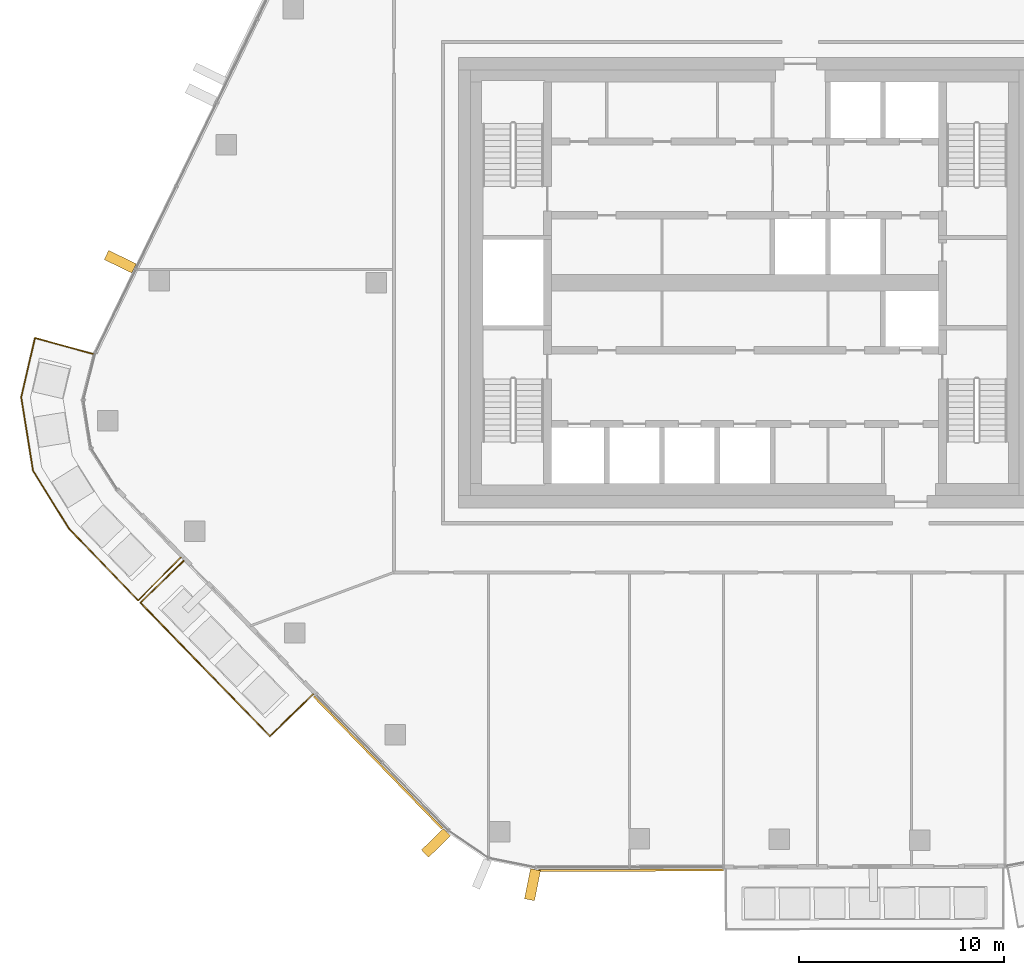
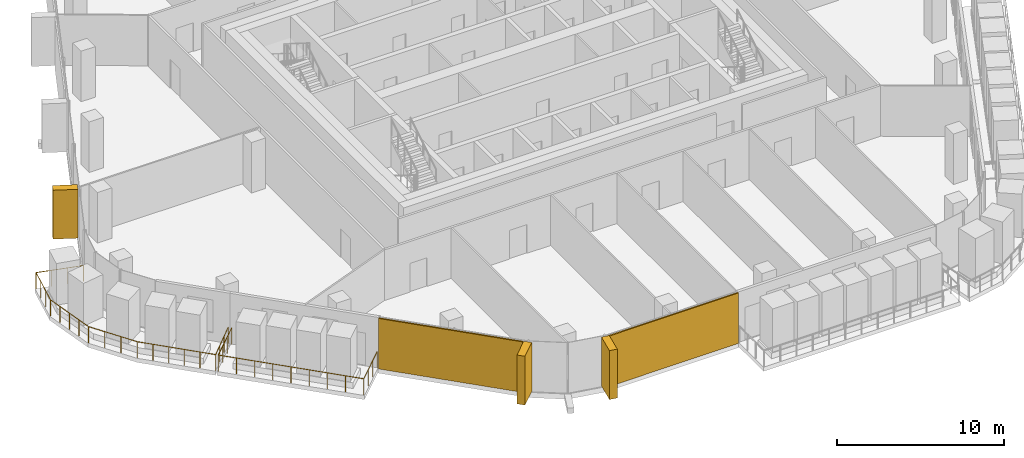
# One storey, part 18 of 24: 5 coverings, 2 railings, 4 elements without a shape of their own.
"""IFC4 building model written with IfcOpenShell, lengths in metres."""

from ifc_helpers import new_model, si_unit, direction, frame, origin, origin_2d, place, context, subcontext, project, spatial, rectangle, circle, extrude, material, layer, layer_set, material_profile, profile_set, type_object, element, aggregate, save


model = new_model("IFC4")

# Units and contexts
model_context = context("Model", 3, precision=1e-05, world=origin(), true_north=direction((0.0, 1.0)))
body_context = subcontext(model_context, "Body", "Model", "MODEL_VIEW")
ifc_project = project(units=[si_unit("LENGTHUNIT", "METRE"), si_unit("AREAUNIT", "SQUARE_METRE"), si_unit("VOLUMEUNIT", "CUBIC_METRE"), si_unit("PLANEANGLEUNIT", "RADIAN"), si_unit("MASSUNIT", "GRAM", prefix="KILO")], contexts=[model_context])

# Site, building, storey
site_placement = place(None, origin())
site = spatial("IfcSite", under=ifc_project, at=site_placement, CompositionType="ELEMENT")
building_placement = place(site_placement, origin())
building = spatial("IfcBuilding", under=site, at=building_placement, Name="Dongbaek Canopy Tower", CompositionType="ELEMENT")
storey_placement = place(building_placement, frame((0.0, 0.0, 348.800048828125)))
storey = spatial("IfcBuildingStorey", under=building, at=storey_placement, Name="L75", CompositionType="ELEMENT", Elevation=348.800048828125)

# Railings
ifc_material_1 = material(Name="Stainless steel", Category="steel")
railing_type = type_object("IfcRailingType", Name="Balcony balustrade 1200", PredefinedType="BALUSTRADE", material=ifc_material_1)
railing_1_placement = place(storey_placement, frame((-27.416748046875, -13.58642578125, 0.0)))
element("IfcRailing", 1, at=railing_1_placement, inside=storey, type_object=railing_type, Name="Balcony guard L75 3", PredefinedType="BALUSTRADE", context=body_context, shape_type="SweptSolid", body=[
    extrude(circle(Radius=0.02392578125, at=origin_2d()), frame((0.0, 0.0, 1.17578125), z_axis=(-0.717696638851, -0.696355896494, 0.0), x_axis=(0.696355896494, -0.717696638851, 0.0)), (0.0, 0.0, 1.0), 2.940185546875),
    extrude(circle(Radius=0.02392578125, at=origin_2d()), frame((-2.110107421875, -2.04736328125, 1.17578125), z_axis=(0.696375572083, -0.717677547793, 0.0), x_axis=(0.717677547793, 0.696375572083, 0.0)), (0.0, 0.0, 1.0), 9.0771484375),
    extrude(circle(Radius=0.02392578125, at=origin_2d()), frame((4.2109375, -8.561767578125, 1.17578125), z_axis=(0.717656369211, 0.696397397849, 0.0), x_axis=(-0.696397397849, 0.717656369211, 0.0)), (0.0, 0.0, 1.0), 2.93994140625),
    extrude(circle(Radius=0.02099609375, at=origin_2d()), origin(), (0.0, 0.0, 1.0), 1.15185546875),
    extrude(circle(Radius=0.02099609375, at=origin_2d()), frame((-0.703369140625, -0.682373046875, 0.0)), (0.0, 0.0, 1.0), 1.15185546875),
    extrude(circle(Radius=0.02099609375, at=origin_2d()), frame((-1.40673828125, -1.364990234375, 0.0)), (0.0, 0.0, 1.0), 1.15185546875),
    extrude(circle(Radius=0.02099609375, at=origin_2d()), frame((-2.110107421875, -2.04736328125, 0.0)), (0.0, 0.0, 1.0), 1.15185546875),
    extrude(circle(Radius=0.02099609375, at=origin_2d()), frame((-1.320068359375, -2.861572265625, 0.0)), (0.0, 0.0, 1.0), 1.15185546875),
    extrude(circle(Radius=0.02099609375, at=origin_2d()), frame((-0.52978515625, -3.676025390625, 0.0)), (0.0, 0.0, 1.0), 1.15185546875),
    extrude(circle(Radius=0.02099609375, at=origin_2d()), frame((0.26025390625, -4.490234375, 0.0)), (0.0, 0.0, 1.0), 1.15185546875),
    extrude(circle(Radius=0.02099609375, at=origin_2d()), frame((1.05029296875, -5.3046875, 0.0)), (0.0, 0.0, 1.0), 1.15185546875),
    extrude(circle(Radius=0.02099609375, at=origin_2d()), frame((1.840576171875, -6.118896484375, 0.0)), (0.0, 0.0, 1.0), 1.15185546875),
    extrude(circle(Radius=0.02099609375, at=origin_2d()), frame((2.630615234375, -6.93310546875, 0.0)), (0.0, 0.0, 1.0), 1.15185546875),
    extrude(circle(Radius=0.02099609375, at=origin_2d()), frame((3.4208984375, -7.74755859375, 0.0)), (0.0, 0.0, 1.0), 1.15185546875),
    extrude(circle(Radius=0.02099609375, at=origin_2d()), frame((4.2109375, -8.561767578125, 0.0)), (0.0, 0.0, 1.0), 1.15185546875),
    extrude(circle(Radius=0.02099609375, at=origin_2d()), frame((4.914306640625, -7.87939453125, 0.0)), (0.0, 0.0, 1.0), 1.15185546875),
    extrude(circle(Radius=0.02099609375, at=origin_2d()), frame((5.617431640625, -7.19677734375, 0.0)), (0.0, 0.0, 1.0), 1.15185546875),
    extrude(circle(Radius=0.02099609375, at=origin_2d()), frame((6.32080078125, -6.514404296875, 0.0)), (0.0, 0.0, 1.0), 1.15185546875),
])
railing_2_placement = place(storey_placement, frame((-31.848876953125, -3.47900390625, 0.0)))
element("IfcRailing", 2, at=railing_2_placement, inside=storey, type_object=railing_type, Name="Balcony guard L75 7", PredefinedType="BALUSTRADE", context=body_context, shape_type="SweptSolid", body=[
    extrude(circle(Radius=0.02392578125, at=origin_2d()), frame((0.0, 0.0, 1.17578125), z_axis=(-0.964105557481, 0.265519253602, 0.0), x_axis=(-0.265519253602, -0.964105557481, 0.0)), (0.0, 0.0, 1.0), 2.9404296875),
    extrude(circle(Radius=0.02392578125, at=origin_2d()), frame((-2.8349609375, 0.78076171875, 1.17578125), z_axis=(-0.225884835617, -0.974154012997, 0.0), x_axis=(0.974154012997, -0.225884835617, 0.0)), (0.0, 0.0, 1.0), 2.973388671875),
    extrude(circle(Radius=0.02392578125, at=origin_2d()), frame((-3.506591796875, -2.11572265625, 1.17578125), z_axis=(0.158464274959, -0.987364711523, 0.0), x_axis=(0.987364711523, 0.158464274959, 0.0)), (0.0, 0.0, 1.0), 3.617431640625),
    extrude(circle(Radius=0.02392578125, at=origin_2d()), frame((-2.933349609375, -5.6875, 1.17578125), z_axis=(0.525154889497, -0.851006663921, 0.0), x_axis=(0.851006663921, 0.525154889497, 0.0)), (0.0, 0.0, 1.0), 3.322021484375),
    extrude(circle(Radius=0.02392578125, at=origin_2d()), frame((-1.188720703125, -8.5146484375, 1.17578125), z_axis=(0.694128190065, -0.719851412277, 0.0), x_axis=(0.719851412277, 0.694128190065, 0.0)), (0.0, 0.0, 1.0), 4.8974609375),
    extrude(circle(Radius=0.02392578125, at=origin_2d()), frame((2.210693359375, -12.0400390625, 1.17578125), z_axis=(0.70331897613, 0.710874403686, 0.0), x_axis=(-0.710874403686, 0.70331897613, 0.0)), (0.0, 0.0, 1.0), 2.9404296875),
    extrude(circle(Radius=0.02099609375, at=origin_2d()), origin(), (0.0, 0.0, 1.0), 1.15185546875),
    extrude(circle(Radius=0.02099609375, at=origin_2d()), frame((-0.945068359375, 0.26025390625, 0.0)), (0.0, 0.0, 1.0), 1.15185546875),
    extrude(circle(Radius=0.02099609375, at=origin_2d()), frame((-1.889892578125, 0.5205078125, 0.0)), (0.0, 0.0, 1.0), 1.15185546875),
    extrude(circle(Radius=0.02099609375, at=origin_2d()), frame((-2.8349609375, 0.78076171875, 0.0)), (0.0, 0.0, 1.0), 1.15185546875),
    extrude(circle(Radius=0.02099609375, at=origin_2d()), frame((-3.058837890625, -0.184814453125, 0.0)), (0.0, 0.0, 1.0), 1.15185546875),
    extrude(circle(Radius=0.02099609375, at=origin_2d()), frame((-3.28271484375, -1.150146484375, 0.0)), (0.0, 0.0, 1.0), 1.15185546875),
    extrude(circle(Radius=0.02099609375, at=origin_2d()), frame((-3.506591796875, -2.11572265625, 0.0)), (0.0, 0.0, 1.0), 1.15185546875),
    extrude(circle(Radius=0.02099609375, at=origin_2d()), frame((-3.36328125, -3.0087890625, 0.0)), (0.0, 0.0, 1.0), 1.15185546875),
    extrude(circle(Radius=0.02099609375, at=origin_2d()), frame((-3.219970703125, -3.901611328125, 0.0)), (0.0, 0.0, 1.0), 1.15185546875),
    extrude(circle(Radius=0.02099609375, at=origin_2d()), frame((-3.07666015625, -4.79443359375, 0.0)), (0.0, 0.0, 1.0), 1.15185546875),
    extrude(circle(Radius=0.02099609375, at=origin_2d()), frame((-2.933349609375, -5.6875, 0.0)), (0.0, 0.0, 1.0), 1.15185546875),
    extrude(circle(Radius=0.02099609375, at=origin_2d()), frame((-2.351806640625, -6.6298828125, 0.0)), (0.0, 0.0, 1.0), 1.15185546875),
    extrude(circle(Radius=0.02099609375, at=origin_2d()), frame((-1.770263671875, -7.572265625, 0.0)), (0.0, 0.0, 1.0), 1.15185546875),
    extrude(circle(Radius=0.02099609375, at=origin_2d()), frame((-1.188720703125, -8.5146484375, 0.0)), (0.0, 0.0, 1.0), 1.15185546875),
    extrude(circle(Radius=0.02099609375, at=origin_2d()), frame((-0.5087890625, -9.2197265625, 0.0)), (0.0, 0.0, 1.0), 1.15185546875),
    extrude(circle(Radius=0.02099609375, at=origin_2d()), frame((0.171142578125, -9.9248046875, 0.0)), (0.0, 0.0, 1.0), 1.15185546875),
    extrude(circle(Radius=0.02099609375, at=origin_2d()), frame((0.850830078125, -10.6298828125, 0.0)), (0.0, 0.0, 1.0), 1.15185546875),
    extrude(circle(Radius=0.02099609375, at=origin_2d()), frame((1.53076171875, -11.3349609375, 0.0)), (0.0, 0.0, 1.0), 1.15185546875),
    extrude(circle(Radius=0.02099609375, at=origin_2d()), frame((2.210693359375, -12.0400390625, 0.0)), (0.0, 0.0, 1.0), 1.15185546875),
    extrude(circle(Radius=0.02099609375, at=origin_2d()), frame((2.900146484375, -11.34326171875, 0.0)), (0.0, 0.0, 1.0), 1.15185546875),
    extrude(circle(Radius=0.02099609375, at=origin_2d()), frame((3.58935546875, -10.646484375, 0.0)), (0.0, 0.0, 1.0), 1.15185546875),
    extrude(circle(Radius=0.02099609375, at=origin_2d()), frame((4.27880859375, -9.94970703125, 0.0)), (0.0, 0.0, 1.0), 1.15185546875),
])

# Curtain wall, covering
ifc_material_2 = material(Name="Aluminium 6063-T6 pale anodised", Category="aluminium")
ifc_layer_1 = layer(ifc_material_2, 0.199951171875)
ifc_layer_set_1 = layer_set([ifc_layer_1], Name="CW-1 unitised tower curtain wall")
curtain_wall_type = type_object("IfcCurtainWallType", Name="CW-1 unitised tower curtain wall", PredefinedType="NOTDEFINED", material=ifc_layer_set_1)
curtain_wall_1_placement = place(storey_placement, origin())
curtain_wall_1 = element("IfcCurtainWall", 3, at=curtain_wall_1_placement, inside=storey, type_object=curtain_wall_type, Name="CW-1 curtain wall F3.1", PredefinedType="NOTDEFINED")
ifc_material_3 = material(Name="Perforated aluminium 6063-T6 pale metal screen", Category="aluminium")
ifc_layer_2 = layer(ifc_material_3, 0.10009765625)
ifc_layer_set_2 = layer_set([ifc_layer_2], Name="Facet screen FS1 100 pale metal")
covering_type_1 = type_object("IfcCoveringType", Name="Facet screen FS1 100 pale metal", PredefinedType="CLADDING", material=ifc_layer_set_2)
covering_1_placement = place(storey_placement, frame((-17.919677734375, -23.440185546875, 0.0), z_axis=(0.0, 0.0, 1.0), x_axis=(0.696372639427, -0.71768039339, 0.0)))
covering_1 = element("IfcCovering", 4, at=covering_1_placement, type_object=covering_type_1, Name="Facet screen L75 F3", PredefinedType="CLADDING", context=body_context, shape_type="SweptSolid", body=[
    extrude(rectangle(XDim=8.996826171875, YDim=0.10009765625, at=origin_2d()), origin(), (0.0, 0.0, 1.0), 3.699951171875),
])

curtain_wall_2_placement = place(storey_placement, origin())
curtain_wall_2 = element("IfcCurtainWall", 5, at=curtain_wall_2_placement, inside=storey, type_object=curtain_wall_type, Name="CW-1 curtain wall F4.1", PredefinedType="NOTDEFINED")
covering_2_placement = place(storey_placement, frame((-5.56591796875, -28.70556640625, 0.0), z_axis=(0.0, 0.0, 1.0), x_axis=(0.99999530351, 0.003064793369, 0.0)))
covering_2 = element("IfcCovering", 6, at=covering_2_placement, type_object=covering_type_1, Name="Facet screen L75 F4", PredefinedType="CLADDING", context=body_context, shape_type="SweptSolid", body=[
    extrude(rectangle(XDim=9.048095703125, YDim=0.10009765625, at=origin_2d()), origin(), (0.0, 0.0, 1.0), 3.699951171875),
])
aggregate(curtain_wall_2, [covering_2])

curtain_wall_3_placement = place(storey_placement, origin())
curtain_wall_3 = element("IfcCurtainWall", 7, at=curtain_wall_3_placement, inside=storey, type_object=curtain_wall_type, Name="CW-1 curtain wall F2.1", PredefinedType="NOTDEFINED")
ifc_material_4 = material(Name="Aluminium 6063-T6 pale metal fin", Category="aluminium")
ifc_material_profile = material_profile(ifc_material_4, rectangle(XDim=1.5, YDim=0.5, at=origin_2d()), Name="Fin FN1 500 x 1500 pale metal")
ifc_profile_set = profile_set([ifc_material_profile], Name="Aluminium 6063-T6 pale metal fin")
covering_type_2 = type_object("IfcCoveringType", Name="Fin FN1 500 x 1500 pale metal", PredefinedType="CLADDING", material=ifc_profile_set)
covering_3_placement = place(storey_placement, frame((-30.51904296875, 1.027587890625, 0.119873046875), z_axis=(0.0, 0.0, 1.0), x_axis=(-0.899562865898, 0.436791312067, 0.0)))
covering_3 = element("IfcCovering", 8, at=covering_3_placement, type_object=covering_type_2, Name="Fin F2.1.7", PredefinedType="CLADDING", context=body_context, shape_type="SweptSolid", body=[
    extrude(rectangle(XDim=1.5, YDim=0.5, at=origin_2d()), origin(), (0.0, 0.0, 1.0), 3.580078125),
])
aggregate(curtain_wall_3, [covering_3])

# Covering
covering_4_placement = place(storey_placement, frame((-15.09033203125, -27.3671875, 0.119873046875), z_axis=(0.0, 0.0, 1.0), x_axis=(-0.717680445859, -0.696372585353, 0.0)))
covering_4 = element("IfcCovering", 9, at=covering_4_placement, type_object=covering_type_2, Name="Fin F3.1.3", PredefinedType="CLADDING", context=body_context, shape_type="SweptSolid", body=[
    extrude(rectangle(XDim=1.5, YDim=0.5, at=origin_2d()), origin(), (0.0, 0.0, 1.0), 3.580078125),
])

aggregate(curtain_wall_1, [covering_4, covering_1])

# Curtain wall, covering
curtain_wall_4_placement = place(storey_placement, origin())
curtain_wall_4 = element("IfcCurtainWall", 10, at=curtain_wall_4_placement, inside=storey, type_object=curtain_wall_type, Name="CW-1 curtain wall K4.1", PredefinedType="NOTDEFINED")
covering_5_placement = place(storey_placement, frame((-10.3779296875, -29.4072265625, 0.119873046875), z_axis=(0.0, 0.0, 1.0), x_axis=(-0.196529582008, -0.980497895661, 0.0)))
covering_5 = element("IfcCovering", 11, at=covering_5_placement, type_object=covering_type_2, Name="Fin K4.1.3", PredefinedType="CLADDING", context=body_context, shape_type="SweptSolid", body=[
    extrude(rectangle(XDim=1.5, YDim=0.5, at=origin_2d()), origin(), (0.0, 0.0, 1.0), 3.580078125),
])
aggregate(curtain_wall_4, [covering_5])

save(model, "model.ifc")
